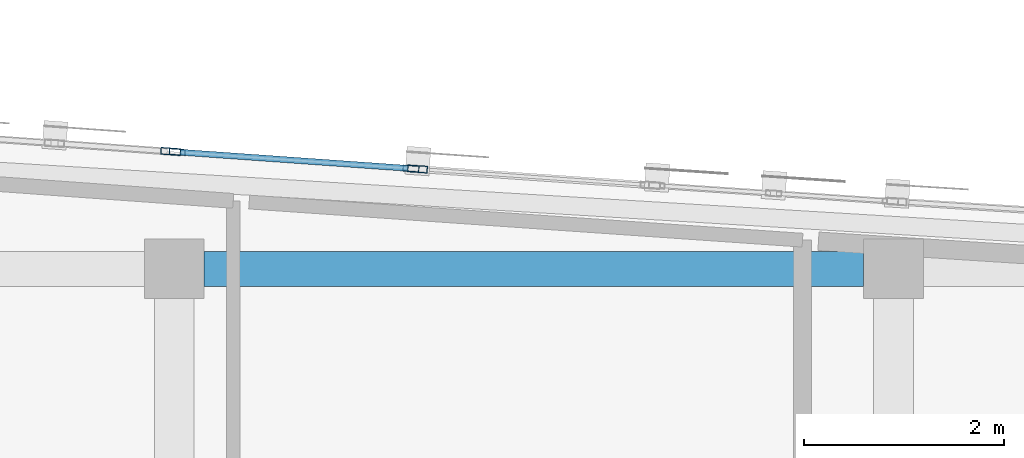
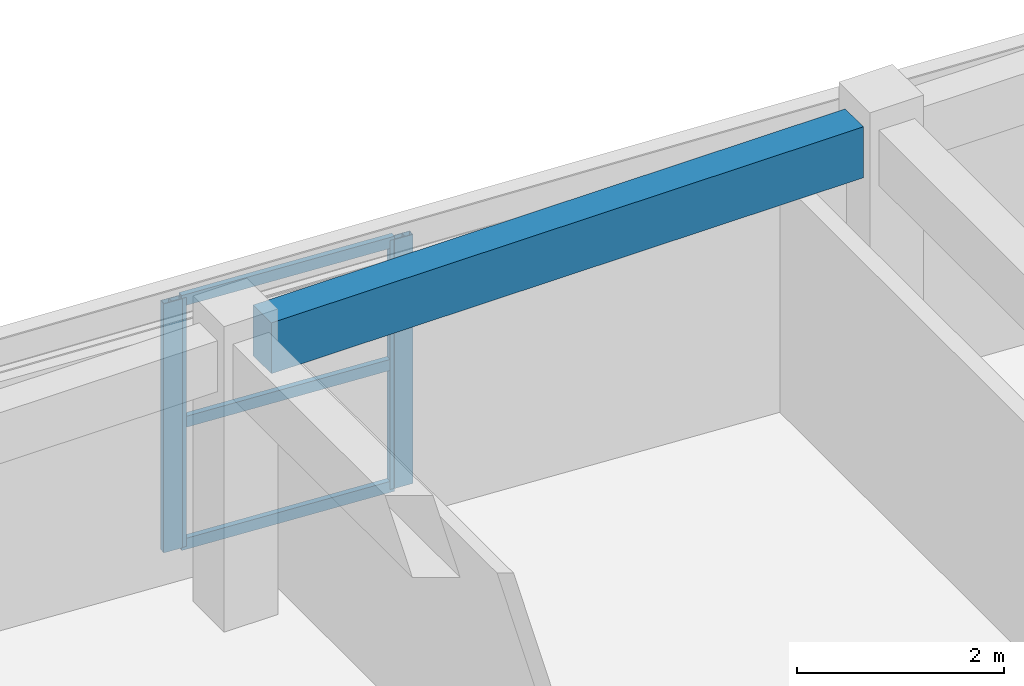
# One storey, part 26 of 51: 7 members, 1 beam, 3 elements without a shape of their own.
"""IFC4 building model written with IfcOpenShell, lengths in metres."""

from ifc_helpers import new_model, si_unit, direction, frame, origin, origin_2d, place, context, subcontext, project, spatial, rectangle, hollow_rectangle, extrude, material, layer, layer_set, material_profile, profile_set, type_object, element, aggregate, save


model = new_model("IFC4")

# Units and contexts
model_context = context("Model", 3, precision=1e-05, world=origin(), true_north=direction((0.0, 1.0)))
body_context = subcontext(model_context, "Body", "Model", "MODEL_VIEW")
ifc_project = project(units=[si_unit("LENGTHUNIT", "METRE"), si_unit("AREAUNIT", "SQUARE_METRE"), si_unit("VOLUMEUNIT", "CUBIC_METRE"), si_unit("PLANEANGLEUNIT", "RADIAN"), si_unit("MASSUNIT", "GRAM", prefix="KILO")], contexts=[model_context])

# Site, building, storey
site_placement = place(None, origin())
site = spatial("IfcSite", under=ifc_project, at=site_placement, CompositionType="ELEMENT")
building_placement = place(site_placement, origin())
building = spatial("IfcBuilding", under=site, at=building_placement, Name="Carrowvane Square Congress Hotel", CompositionType="ELEMENT")
storey_placement = place(building_placement, frame((0.0, 0.0, 30.0)))
storey = spatial("IfcBuildingStorey", under=building, at=storey_placement, Name="L07", CompositionType="ELEMENT", Elevation=30.0)

# Beam
ifc_material_1 = material(Name="Concrete C35/45", Category="concrete")
ifc_material_profile_1 = material_profile(ifc_material_1, rectangle(XDim=0.35009765625, YDim=0.60009765625, at=origin_2d()), Name="RC 350x600")
ifc_profile_set_1 = profile_set([ifc_material_profile_1], Name="Concrete C35/45")
beam_type = type_object("IfcBeamType", Name="BM-RC-350x600", PredefinedType="BEAM", material=ifc_profile_set_1)
beam_placement = place(storey_placement, frame((141.5, 113.39990234375, 3.06005859375), z_axis=(1.0, 0.0, 0.0), x_axis=(0.0, 1.0, 0.0)))
element("IfcBeam", 1, at=beam_placement, inside=storey, type_object=beam_type, Name="L08 girder R/19-20", PredefinedType="BEAM", context=body_context, shape_type="SweptSolid", body=[
    extrude(rectangle(XDim=0.35009765625, YDim=0.60009765625, at=origin_2d()), origin(), (0.0, 0.0, 1.0), 6.60009765625),
])

# Curtain wall, members
ifc_material_2 = material(Name="Anodised aluminium", Category="aluminium")
ifc_layer_1 = layer(ifc_material_2, 0.18603515625)
ifc_layer_set_1 = layer_set([ifc_layer_1], Name="Anodised aluminium")
curtain_wall_type_1 = type_object("IfcCurtainWallType", Name="CW-SYS-3", PredefinedType="NOTDEFINED", material=ifc_layer_set_1)
curtain_wall_1_placement = place(storey_placement, origin())
curtain_wall_1 = element("IfcCurtainWall", 2, at=curtain_wall_1_placement, inside=storey, type_object=curtain_wall_type_1, Name="L07 unitised curtain wall 450", PredefinedType="NOTDEFINED")
ifc_material_3 = material(Name="Anodised aluminium", Category="aluminium")
ifc_material_profile_2 = material_profile(ifc_material_3, hollow_rectangle(XDim=0.06005859375, YDim=0.159912109375, WallThickness=0.00390625, at=origin_2d()), Name="CW-ML 60x160x4")
ifc_profile_set_2 = profile_set([ifc_material_profile_2], Name="Anodised aluminium")
member_type_1 = type_object("IfcMemberType", Name="CW-MUL-1", PredefinedType="MULLION", material=ifc_profile_set_2)
member_1_placement = place(storey_placement, frame((141.22998046875, 114.569091796875, 0.0), z_axis=(0.0, 0.0, 1.0), x_axis=(0.070585996942, 0.997505697746, 0.0)))
member_1 = element("IfcMember", 3, at=member_1_placement, type_object=member_type_1, Name="CW-3 mullion 1", PredefinedType="MULLION", context=body_context, shape_type="SweptSolid", body=[
    extrude(hollow_rectangle(XDim=0.06005859375, YDim=0.159912109375, WallThickness=0.00390625, at=origin_2d()), origin(), (0.0, 0.0, 1.0), 2.935546875),
])
member_2_placement = place(storey_placement, frame((143.570068359375, 114.403564453125, 0.0), z_axis=(0.0, 0.0, 1.0), x_axis=(0.070585996942, 0.997505697746, 0.0)))
member_2 = element("IfcMember", 4, at=member_2_placement, type_object=member_type_1, Name="CW-3 mullion 2", PredefinedType="MULLION", context=body_context, shape_type="SweptSolid", body=[
    extrude(hollow_rectangle(XDim=0.06005859375, YDim=0.159912109375, WallThickness=0.00390625, at=origin_2d()), origin(), (0.0, 0.0, 1.0), 2.935546875),
])

# Curtain wall, member
ifc_material_4 = material(Name="Anodised aluminium", Category="aluminium")
ifc_layer_2 = layer(ifc_material_4, 0.174072265625)
ifc_layer_set_2 = layer_set([ifc_layer_2], Name="Anodised aluminium")
curtain_wall_type_2 = type_object("IfcCurtainWallType", Name="CW-SYS-2", PredefinedType="NOTDEFINED", material=ifc_layer_set_2)
curtain_wall_2_placement = place(storey_placement, origin())
curtain_wall_2 = element("IfcCurtainWall", 5, at=curtain_wall_2_placement, inside=storey, type_object=curtain_wall_type_2, Name="L07 unitised curtain wall 449", PredefinedType="NOTDEFINED")
ifc_material_5 = material(Name="Anodised aluminium", Category="aluminium")
ifc_material_profile_3 = material_profile(ifc_material_5, hollow_rectangle(XDim=0.070068359375, YDim=0.199951171875, WallThickness=0.0048828125, at=origin_2d()), Name="CW-ML 70x200x5")
ifc_profile_set_3 = profile_set([ifc_material_profile_3], Name="Anodised aluminium")
member_type_2 = type_object("IfcMemberType", Name="CW-MUL-2", PredefinedType="MULLION", material=ifc_profile_set_3)
member_3_placement = place(storey_placement, frame((141.1650390625, 114.57373046875, 0.0), z_axis=(0.0, 0.0, 1.0), x_axis=(0.071422490945, 0.997446152826, 0.0)))
member_3 = element("IfcMember", 6, at=member_3_placement, type_object=member_type_2, Name="CW-2 mullion 3", PredefinedType="MULLION", context=body_context, shape_type="SweptSolid", body=[
    extrude(hollow_rectangle(XDim=0.070068359375, YDim=0.199951171875, WallThickness=0.0048828125, at=origin_2d()), origin(), (0.0, 0.0, 1.0), 2.935546875),
])
aggregate(curtain_wall_2, [member_3])

ifc_material_6 = material(Name="Anodised aluminium", Category="aluminium")
ifc_layer_3 = layer(ifc_material_6, 0.197998046875)
ifc_layer_set_3 = layer_set([ifc_layer_3], Name="Anodised aluminium")
curtain_wall_type_3 = type_object("IfcCurtainWallType", Name="CW-SYS-4", PredefinedType="NOTDEFINED", material=ifc_layer_set_3)
curtain_wall_3_placement = place(storey_placement, origin())
curtain_wall_3 = element("IfcCurtainWall", 7, at=curtain_wall_3_placement, inside=storey, type_object=curtain_wall_type_3, Name="L07 unitised curtain wall 451", PredefinedType="NOTDEFINED")
member_4_placement = place(storey_placement, frame((143.635009765625, 114.39892578125, 0.0), z_axis=(0.0, 0.0, 1.0), x_axis=(0.068986120725, 0.997617619706, 0.0)))
member_4 = element("IfcMember", 8, at=member_4_placement, type_object=member_type_2, Name="CW-4 mullion 1", PredefinedType="MULLION", context=body_context, shape_type="SweptSolid", body=[
    extrude(hollow_rectangle(XDim=0.070068359375, YDim=0.199951171875, WallThickness=0.0048828125, at=origin_2d()), origin(), (0.0, 0.0, 1.0), 2.935546875),
])
aggregate(curtain_wall_3, [member_4])

# Member
ifc_material_7 = material(Name="Anodised aluminium", Category="aluminium")
ifc_material_profile_4 = material_profile(ifc_material_7, hollow_rectangle(XDim=0.06005859375, YDim=0.1298828125, WallThickness=0.00390625, at=origin_2d()), Name="CW-TR 60x130x4")
ifc_profile_set_4 = profile_set([ifc_material_profile_4], Name="Anodised aluminium")
member_type_3 = type_object("IfcMemberType", Name="CW-TRN-1", PredefinedType="USERDEFINED", material=ifc_profile_set_4)
member_5_placement = place(storey_placement, frame((141.259765625, 114.567138671875, 0.030029296875), z_axis=(0.997505109293, -0.070594312339, 0.0), x_axis=(0.070594312339, 0.997505109293, 0.0)))
member_5 = element("IfcMember", 9, at=member_5_placement, type_object=member_type_3, Name="CW-3 transom 1.1", ObjectType="TRANSOM", PredefinedType="USERDEFINED", context=body_context, shape_type="SweptSolid", body=[
    extrude(hollow_rectangle(XDim=0.06005859375, YDim=0.1298828125, WallThickness=0.00390625, at=origin_2d()), origin(), (0.0, 0.0, 1.0), 2.285888671875),
])

member_6_placement = place(storey_placement, frame((141.259765625, 114.567138671875, 1.4677734375), z_axis=(0.997505109293, -0.070594312339, 0.0), x_axis=(0.070594312339, 0.997505109293, 0.0)))
member_6 = element("IfcMember", 10, at=member_6_placement, type_object=member_type_3, Name="CW-3 transom 1.2", ObjectType="TRANSOM", PredefinedType="USERDEFINED", context=body_context, shape_type="SweptSolid", body=[
    extrude(hollow_rectangle(XDim=0.06005859375, YDim=0.1298828125, WallThickness=0.00390625, at=origin_2d()), origin(), (0.0, 0.0, 1.0), 2.285888671875),
])

member_7_placement = place(storey_placement, frame((141.259765625, 114.567138671875, 2.905517578125), z_axis=(0.997505109293, -0.070594312339, 0.0), x_axis=(0.070594312339, 0.997505109293, 0.0)))
member_7 = element("IfcMember", 11, at=member_7_placement, type_object=member_type_3, Name="CW-3 transom 1.3", ObjectType="TRANSOM", PredefinedType="USERDEFINED", context=body_context, shape_type="SweptSolid", body=[
    extrude(hollow_rectangle(XDim=0.06005859375, YDim=0.1298828125, WallThickness=0.00390625, at=origin_2d()), origin(), (0.0, 0.0, 1.0), 2.285888671875),
])

aggregate(curtain_wall_1, [member_1, member_2, member_5, member_6, member_7])

save(model, "model.ifc")
